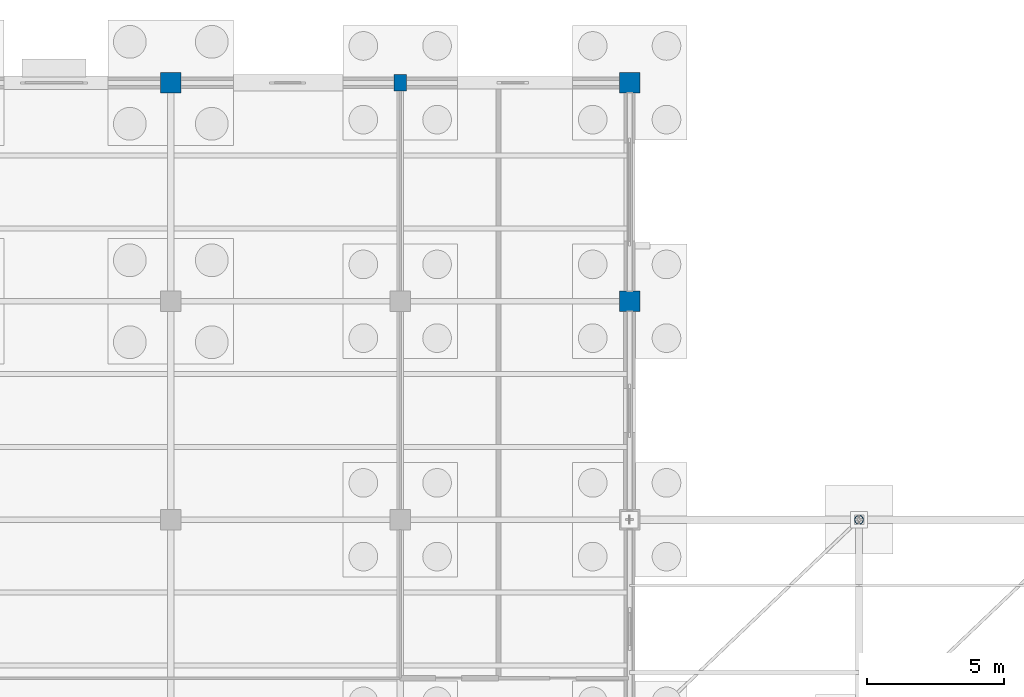
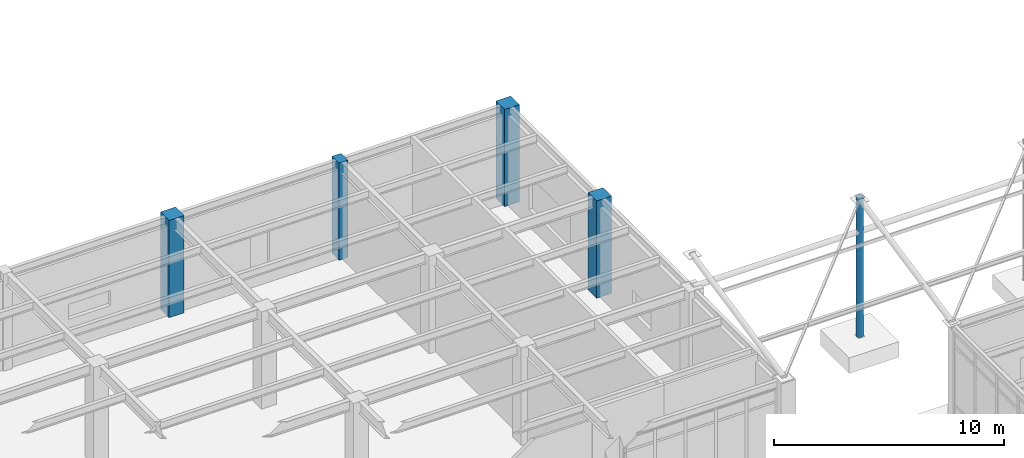
# One storey, part 14 of 138: 5 columns.
"""IFC4 building model written with IfcOpenShell, lengths in metres."""

from ifc_helpers import new_model, si_unit, direction, frame, origin, origin_2d, place, context, subcontext, project, spatial, rectangle, hollow_circle, extrude, material, material_profile, profile_set, type_object, element, save


model = new_model("IFC4")

# Units and contexts
model_context = context("Model", 3, precision=1e-05, world=origin(), true_north=direction((0.0, 1.0)))
body_context = subcontext(model_context, "Body", "Model", "MODEL_VIEW")
ifc_project = project(units=[si_unit("LENGTHUNIT", "METRE"), si_unit("AREAUNIT", "SQUARE_METRE"), si_unit("VOLUMEUNIT", "CUBIC_METRE"), si_unit("PLANEANGLEUNIT", "RADIAN"), si_unit("MASSUNIT", "GRAM", prefix="KILO")], contexts=[model_context])

# Site, building, storey
site_placement = place(None, origin())
site = spatial("IfcSite", under=ifc_project, at=site_placement, CompositionType="ELEMENT")
building_placement = place(site_placement, origin())
building = spatial("IfcBuilding", under=site, at=building_placement, Name="Kranzveld Transit Interchange", CompositionType="ELEMENT")
storey_placement = place(building_placement, origin())
storey = spatial("IfcBuildingStorey", under=building, at=storey_placement, Name="L00", CompositionType="ELEMENT", Elevation=0.0)

# Columns
ifc_material_1 = material(Name="Steel S355JR", Category="steel")
ifc_material_profile_1 = material_profile(ifc_material_1, hollow_circle(Radius=0.161865234375, WallThickness=0.012451171875, at=origin_2d()), Name="CHS 323.9x12.5")
ifc_profile_set_1 = profile_set([ifc_material_profile_1], Name="Steel S355JR")
column_type_1 = type_object("IfcColumnType", Name="Canopy Column CHS 323.9x12.5 S355JR", PredefinedType="COLUMN", material=ifc_profile_set_1)
column_1_placement = place(storey_placement, frame((58.800048828125, 96.0, -0.419921875), z_axis=(0.0, 0.0, 1.0), x_axis=(1.0, 0.0, 0.0)))
element("IfcColumn", 1, at=column_1_placement, inside=storey, type_object=column_type_1, Name="L00 Column 08/N", PredefinedType="COLUMN", context=body_context, shape_type="SweptSolid", body=[
    extrude(hollow_circle(Radius=0.161865234375, WallThickness=0.012451171875, at=origin_2d()), origin(), (0.0, 0.0, 1.0), 7.375),
])
ifc_material_2 = material(Name="Concrete C40/50", Category="concrete")
ifc_material_profile_2 = material_profile(ifc_material_2, rectangle(XDim=0.75, YDim=0.75, at=origin_2d()), Name="RC 750x750")
ifc_profile_set_2 = profile_set([ifc_material_profile_2], Name="Concrete C40/50")
column_type_2 = type_object("IfcColumnType", Name="Column RC 750x750 C40/50", PredefinedType="COLUMN", material=ifc_profile_set_2)
for number, where, z_axis, x_axis, name in (
    (2, (33.60009765625, 112.0, 0.0), (0.0, 0.0, 1.0), (1.0, 0.0, 0.0), "L00 Column 05/Q"),
    (3, (50.39990234375, 104.0, 0.0), (0.0, 0.0, 1.0), (1.0, 0.0, 0.0), "L00 Column 07/P"),
    (4, (50.39990234375, 112.0, 0.0), (0.0, 0.0, 1.0), (1.0, 0.0, 0.0), "L00 Column 07/Q"),
):
    element("IfcColumn", number, at=place(storey_placement, frame(where, z_axis=z_axis, x_axis=x_axis)), inside=storey, type_object=column_type_2, Name=name, PredefinedType="COLUMN", context=body_context, shape_type="SweptSolid", body=[
        extrude(rectangle(XDim=0.75, YDim=0.75, at=origin_2d()), origin(), (0.0, 0.0, 1.0), 5.14990234375),
    ])
ifc_material_3 = material(Name="Concrete C35/45", Category="concrete")
ifc_material_profile_3 = material_profile(ifc_material_3, rectangle(XDim=0.449951171875, YDim=0.60009765625, at=origin_2d()), Name="RC 600x450")
ifc_profile_set_3 = profile_set([ifc_material_profile_3], Name="Concrete C35/45")
column_type_3 = type_object("IfcColumnType", Name="Pilaster RC 450x600 C35/45", PredefinedType="PILASTER", material=ifc_profile_set_3)
column_2_placement = place(storey_placement, frame((42.0, 112.0, 0.0), z_axis=(0.0, 0.0, 1.0), x_axis=(1.0, 0.0, 0.0)))
element("IfcColumn", 5, at=column_2_placement, inside=storey, type_object=column_type_3, Name="L00 Column 06/Q", PredefinedType="PILASTER", context=body_context, shape_type="SweptSolid", body=[
    extrude(rectangle(XDim=0.449951171875, YDim=0.60009765625, at=origin_2d()), origin(), (0.0, 0.0, 1.0), 5.14990234375),
])

save(model, "model.ifc")
